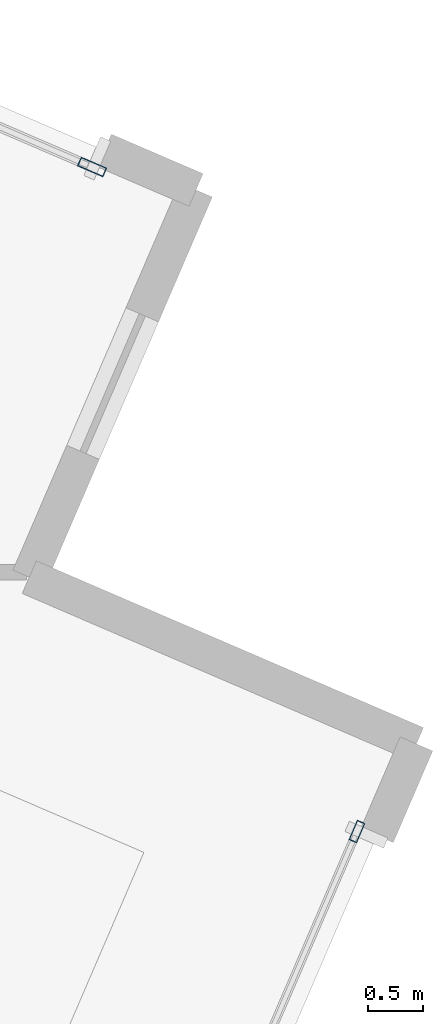
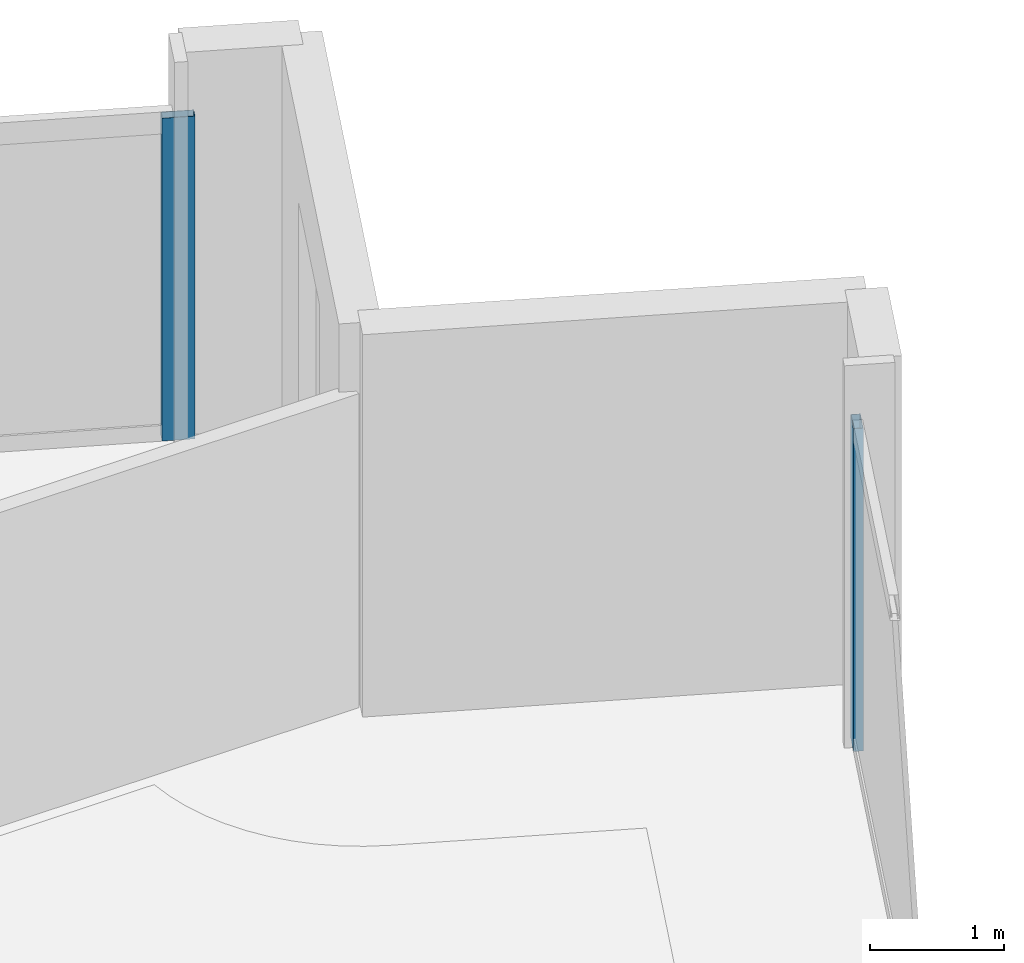
# One storey, part 17 of 28: 2 members, 2 elements without a shape of their own.
"""IFC4 building model written with IfcOpenShell, lengths in metres."""

import ifcopenshell
import ifcopenshell.guid

model = None  # the IFC model being written
_history = None  # IfcOwnerHistory: only IFC2X3 demands one
_inside = {}  # id of a spatial element -> (the spatial element, [elements in it])
_under = {}  # id of a project, library or spatial element -> (it, [spatial elements below it])
_declared = {}  # id of a project -> (the project, [libraries it declares])
_typed = {}  # id of a type object -> (the type object, [elements of that type])
_made_of = {}  # id of a material, layer set ... -> (it, [elements and type objects made of it])


def new_model(schema):
    """Start an empty IFC model of exactly this schema.

    Asked for "IFC4X3", IfcOpenShell would pick the latest addendum, in which some entities
    have other attributes; the version numbers below select the first issue.
    IFC2X3 requires an IfcOwnerHistory on every rooted entity: one is made here for all.
    """
    global model, _history
    if schema == "IFC4X3":
        model = ifcopenshell.file(schema_version=(4, 3, 0, 0))
    else:
        model = ifcopenshell.file(schema=schema)
    _inside.clear()
    _under.clear()
    _declared.clear()
    _typed.clear()
    _made_of.clear()
    _history = None
    if model.schema == "IFC2X3":
        org = make("IfcOrganization", Name="unknown")
        user = make(
            "IfcPersonAndOrganization",
            ThePerson=make("IfcPerson", FamilyName="unknown"),
            TheOrganization=org,
        )
        app = make(
            "IfcApplication",
            ApplicationDeveloper=org,
            Version="unknown",
            ApplicationFullName="unknown",
            ApplicationIdentifier="unknown",
        )
        _history = make(
            "IfcOwnerHistory",
            OwningUser=user,
            OwningApplication=app,
            ChangeAction="ADDED",
            CreationDate=0,
        )
    return model


def make(cls, **values):
    """One entity of the class cls with the attributes given. An attribute that is None is left unset."""
    return model.create_entity(
        cls, **{name: value for name, value in values.items() if value is not None}
    )


def rooted(cls, **values):
    """An entity with a GlobalId (a new one), such as an element, a storey or a relation."""
    return make(cls, GlobalId=ifcopenshell.guid.new(), OwnerHistory=_history, **values)


def si_unit(unit_type, name, prefix=None):
    """IfcSIUnit, for example si_unit("LENGTHUNIT", "METRE", prefix="MILLI")."""
    return make("IfcSIUnit", UnitType=unit_type, Prefix=prefix, Name=name)


def assignment(units):
    """IfcUnitAssignment: the units of a project."""
    return None if units is None else make("IfcUnitAssignment", Units=units)


def point(xyz):
    """IfcCartesianPoint."""
    return None if xyz is None else make("IfcCartesianPoint", Coordinates=xyz)


def direction(xyz):
    """IfcDirection."""
    return None if xyz is None else make("IfcDirection", DirectionRatios=xyz)


def frame(location, z_axis=None, x_axis=None):
    """IfcAxis2Placement3D, a coordinate frame: its origin and axes. An axis left out is left unset."""
    return make(
        "IfcAxis2Placement3D",
        Location=point(location),
        Axis=direction(z_axis),
        RefDirection=direction(x_axis),
    )


def frame_2d(location, x_axis=None):
    """IfcAxis2Placement2D, a coordinate frame in the plane: its origin and x axis."""
    return make(
        "IfcAxis2Placement2D", Location=point(location), RefDirection=direction(x_axis)
    )


def origin():
    """The frame at (0, 0, 0) with its axes left unset."""
    return frame((0.0, 0.0, 0.0))


def origin_2d():
    """The frame at (0, 0) in the plane with its x axis left unset."""
    return frame_2d((0.0, 0.0))


def place(relative_to, where):
    """IfcLocalPlacement: puts the frame where relative to a parent placement (None: the world)."""
    return make(
        "IfcLocalPlacement", PlacementRelTo=relative_to, RelativePlacement=where
    )


def context(
    kind, dimensions, precision=None, world=None, true_north=None, identifier=None
):
    """IfcGeometricRepresentationContext, for example the 3D "Model" context."""
    return make(
        "IfcGeometricRepresentationContext",
        ContextIdentifier=identifier,
        ContextType=kind,
        CoordinateSpaceDimension=dimensions,
        Precision=precision,
        WorldCoordinateSystem=world,
        TrueNorth=true_north,
    )


def subcontext(parent, identifier, kind, view, scale=None):
    """IfcGeometricRepresentationSubContext, for example "Body" below "Model"."""
    return make(
        "IfcGeometricRepresentationSubContext",
        ContextIdentifier=identifier,
        ContextType=kind,
        ParentContext=parent,
        TargetScale=scale,
        TargetView=view,
    )


def project(units=None, contexts=None):
    """IfcProject with its units and contexts."""
    return rooted(
        "IfcProject",
        Name="project",
        RepresentationContexts=contexts,
        UnitsInContext=assignment(units),
    )


def spatial(cls, under=None, at=None, **own):
    """A site, building, storey or space (cls), placed at a placement, below another one or the project."""
    s = rooted(cls, ObjectPlacement=at, **own)
    if under is not None:
        _under.setdefault(under.id(), (under, []))[1].append(s)
    return s


def profile(cls, at=None, kind="AREA", **sizes):
    """A parametric profile (cls). Its sizes go by their IFC names, for example OverallWidth=200.0."""
    return make(cls, ProfileType=kind, Position=at, **sizes)


def hollow_rectangle(**sizes):
    """IfcRectangleHollowProfileDef."""
    return profile("IfcRectangleHollowProfileDef", **sizes)


def extrude(swept, where, along, depth):
    """IfcExtrudedAreaSolid: the profile swept, set in the frame where, extruded along a direction by depth."""
    return make(
        "IfcExtrudedAreaSolid",
        SweptArea=swept,
        Position=where,
        ExtrudedDirection=direction(along),
        Depth=depth,
    )


def shape(context_of_items, identifier, shape_type, items):
    """IfcShapeRepresentation: the items that make up one representation, for example the "Body"."""
    return make(
        "IfcShapeRepresentation",
        ContextOfItems=context_of_items,
        RepresentationIdentifier=identifier,
        RepresentationType=shape_type,
        Items=items,
    )


def material(Name=None, Category=None):
    """IfcMaterial."""
    return make("IfcMaterial", Name=Name, Category=Category)


def material_profile(
    of_material, cross_section, Name=None, Category=None, Priority=None
):
    """IfcMaterialProfile: a cross section and its material."""
    return make(
        "IfcMaterialProfile",
        Name=Name,
        Material=of_material,
        Profile=cross_section,
        Priority=Priority,
        Category=Category,
    )


def profile_set(profiles, Name=None, composite=None):
    """IfcMaterialProfileSet."""
    return make(
        "IfcMaterialProfileSet",
        Name=Name,
        MaterialProfiles=profiles,
        CompositeProfile=composite,
    )


def made_of(thing, what):
    """Note that an element or type object is made of a material, layer set ...; save() writes the relation."""
    if what is not None:
        _made_of.setdefault(what.id(), (what, []))[1].append(thing)
    return thing


def type_object(cls, material=None, **own):
    """A type object (cls), such as IfcWallType, which elements share."""
    return made_of(rooted(cls, **own), material)


def element(
    cls,
    number,
    at=None,
    inside=None,
    cuts=None,
    type_object=None,
    material=None,
    context=None,
    identifier="Body",
    shape_type=None,
    held_by="IfcProductDefinitionShape",
    body=None,
    shapes=None,
    **own,
):
    """One element of the class cls, such as IfcWall. Its Tag is "e" and its number.

    at: its placement. inside: the storey or other place that contains it. cuts: it is an
    opening in that element (IfcRelVoidsElement). A single representation is given by context,
    identifier, shape_type and body (its items); several are given by shapes. held_by: the class
    of the entity that holds the representations. save() writes the other relations.
    """
    e = rooted(cls, Tag="e%d" % number, ObjectPlacement=at, **own)
    if body is not None:
        shapes = [shape(context, identifier, shape_type, body)]
    if shapes is not None:
        e.Representation = make(held_by, Representations=shapes)
    if inside is not None:
        _inside.setdefault(inside.id(), (inside, []))[1].append(e)
    if cuts is not None:
        rooted(
            "IfcRelVoidsElement", RelatingBuildingElement=cuts, RelatedOpeningElement=e
        )
    if type_object is not None:
        _typed.setdefault(type_object.id(), (type_object, []))[1].append(e)
    return made_of(e, material)


def aggregate(whole, parts):
    """IfcRelAggregates: a whole, such as a stair, and the parts it consists of."""
    return rooted("IfcRelAggregates", RelatingObject=whole, RelatedObjects=parts)


def save(model, path):
    """Write the relations noted so far, then the file.

    IfcRelAggregates (storeys below a building ...), IfcRelContainedInSpatialStructure (elements
    in a storey), IfcRelDefinesByType, IfcRelAssociatesMaterial and IfcRelDeclares: one each for
    every whole, place, type object, material and project.
    """
    for whole, parts in _under.values():
        aggregate(whole, parts)
    for where, things in _inside.values():
        rooted(
            "IfcRelContainedInSpatialStructure",
            RelatedElements=things,
            RelatingStructure=where,
        )
    for kind, things in _typed.values():
        rooted("IfcRelDefinesByType", RelatedObjects=things, RelatingType=kind)
    for what, things in _made_of.values():
        rooted("IfcRelAssociatesMaterial", RelatedObjects=things, RelatingMaterial=what)
    for by, libraries in _declared.values():
        rooted("IfcRelDeclares", RelatingContext=by, RelatedDefinitions=libraries)
    model.write(path)


model = new_model("IFC4")

# Units and contexts
model_context = context("Model", 3, precision=1e-05, world=origin(), true_north=direction((0.0, 1.0)))
body_context = subcontext(model_context, "Body", "Model", "MODEL_VIEW")
ifc_project = project(units=[si_unit("LENGTHUNIT", "METRE"), si_unit("AREAUNIT", "SQUARE_METRE"), si_unit("VOLUMEUNIT", "CUBIC_METRE"), si_unit("PLANEANGLEUNIT", "RADIAN"), si_unit("MASSUNIT", "GRAM", prefix="KILO")], contexts=[model_context])

# Site, building, storey
site_placement = place(None, origin())
site = spatial("IfcSite", under=ifc_project, at=site_placement, CompositionType="ELEMENT")
building_placement = place(site_placement, origin())
building = spatial("IfcBuilding", under=site, at=building_placement, Name="Haldenkirk Collegiate Tower", CompositionType="ELEMENT")
storey_placement = place(building_placement, frame((0.0, 0.0, 252.449951171875)))
storey = spatial("IfcBuildingStorey", under=building, at=storey_placement, Name="L63", CompositionType="ELEMENT", Elevation=252.449951171875)

# Curtain wall, member
ifc_material = material(Name="Anodised architectural bronze aluminium", Category="aluminium")
curtain_wall_type_1 = type_object("IfcCurtainWallType", Name="CW-SYS2-CONCAVE", PredefinedType="USERDEFINED", material=ifc_material)
curtain_wall_1_placement = place(storey_placement, origin())
curtain_wall_1 = element("IfcCurtainWall", 1, at=curtain_wall_1_placement, inside=storey, type_object=curtain_wall_type_1, Name="L63 South concave recessed bronze-anodised curtain wall", ObjectType="UNITISED CURTAIN WALL", PredefinedType="USERDEFINED")
ifc_material_profile_1 = material_profile(ifc_material, hollow_rectangle(XDim=0.074951171875, YDim=0.18994140625, WallThickness=0.0048828125, at=origin_2d()), Name="CW-MUL-02")
ifc_profile_set_1 = profile_set([ifc_material_profile_1], Name="Anodised architectural bronze aluminium")
member_type_1 = type_object("IfcMemberType", Name="CW-MUL-02", PredefinedType="MULLION", material=ifc_profile_set_1)
member_1_placement = place(storey_placement, frame((64.3408203125, 34.1142578125, 0.0), z_axis=(0.0, 0.0, 1.0), x_axis=(0.918446421115, -0.395545410215, 0.0)))
member_1 = element("IfcMember", 2, at=member_1_placement, type_object=member_type_1, Name="CW-02 mullion 1", PredefinedType="MULLION", context=body_context, shape_type="SweptSolid", body=[
    extrude(hollow_rectangle(XDim=0.074951171875, YDim=0.18994140625, WallThickness=0.0048828125, at=origin_2d()), origin(), (0.0, 0.0, 1.0), 2.93798828125),
])
aggregate(curtain_wall_1, [member_1])

curtain_wall_type_2 = type_object("IfcCurtainWallType", Name="CW-SYS1B-CONVEX-HI", PredefinedType="USERDEFINED", material=ifc_material)
curtain_wall_2_placement = place(storey_placement, origin())
curtain_wall_2 = element("IfcCurtainWall", 3, at=curtain_wall_2_placement, inside=storey, type_object=curtain_wall_type_2, Name="L63 Upper tower high-wind convex bronze unitised curtain wall", ObjectType="UNITISED CURTAIN WALL", PredefinedType="USERDEFINED")
ifc_material_profile_2 = material_profile(ifc_material, hollow_rectangle(XDim=0.0849609375, YDim=0.25, WallThickness=0.0048828125, at=origin_2d()), Name="CW-MUL-1B")
ifc_profile_set_2 = profile_set([ifc_material_profile_2], Name="Anodised architectural bronze aluminium")
member_type_2 = type_object("IfcMemberType", Name="CW-MUL-1B", PredefinedType="MULLION", material=ifc_profile_set_2)
member_2_placement = place(storey_placement, frame((61.953125, 40.104736328125, 0.0), z_axis=(0.0, 0.0, 1.0), x_axis=(0.395545592347, 0.918446342676, 0.0)))
member_2 = element("IfcMember", 4, at=member_2_placement, type_object=member_type_2, Name="CW-1B mullion 4", PredefinedType="MULLION", context=body_context, shape_type="SweptSolid", body=[
    extrude(hollow_rectangle(XDim=0.0849609375, YDim=0.25, WallThickness=0.0048828125, at=origin_2d()), origin(), (0.0, 0.0, 1.0), 2.93798828125),
])
aggregate(curtain_wall_2, [member_2])

save(model, "model.ifc")
